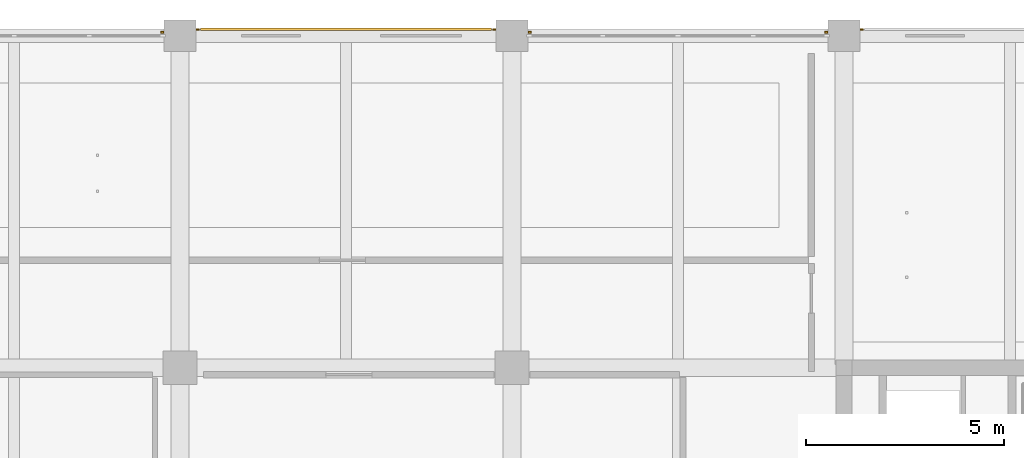
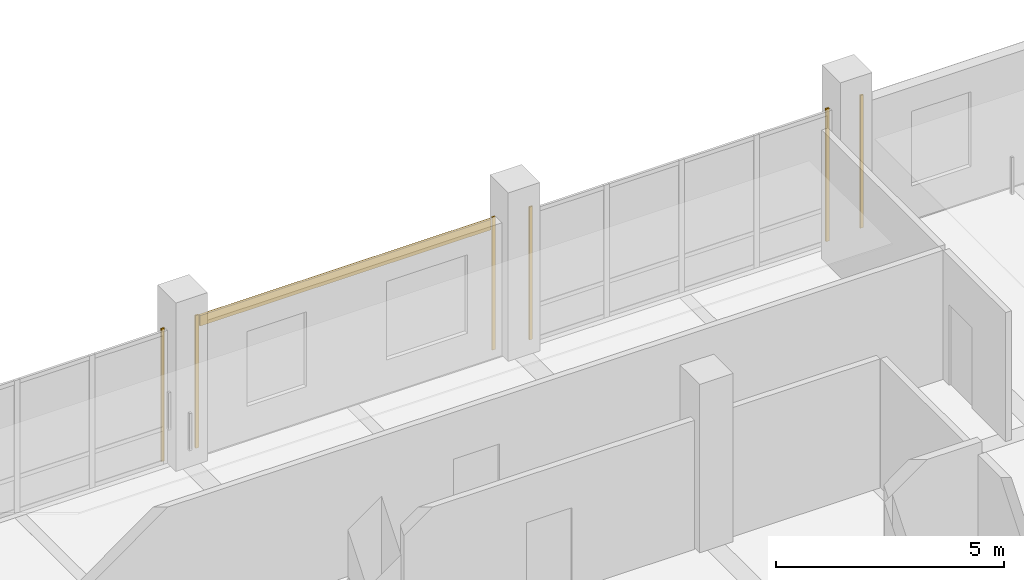
# One storey, part 35 of 36: 7 coverings.
"""IFC4 building model written with IfcOpenShell, lengths in metres."""

from ifc_helpers import new_model, si_unit, direction, frame, origin, origin_2d, place, context, subcontext, project, spatial, rectangle, extrude, material, layer, layer_set, type_object, element, save


model = new_model("IFC4")

# Units and contexts
model_context = context("Model", 3, precision=1e-05, world=origin(), true_north=direction((0.0, 1.0)))
body_context = subcontext(model_context, "Body", "Model", "MODEL_VIEW")
ifc_project = project(units=[si_unit("LENGTHUNIT", "METRE"), si_unit("AREAUNIT", "SQUARE_METRE"), si_unit("VOLUMEUNIT", "CUBIC_METRE"), si_unit("PLANEANGLEUNIT", "RADIAN"), si_unit("MASSUNIT", "GRAM", prefix="KILO")], contexts=[model_context])

# Site, building, storey
site_placement = place(None, origin())
site = spatial("IfcSite", under=ifc_project, at=site_placement, CompositionType="ELEMENT")
building_placement = place(site_placement, origin())
building = spatial("IfcBuilding", under=site, at=building_placement, Name="Telukmera Botanical Conservatory", CompositionType="ELEMENT")
storey_placement = place(building_placement, frame((0.0, 0.0, 33.0)))
storey = spatial("IfcBuildingStorey", under=building, at=storey_placement, Name="L07", CompositionType="ELEMENT", Elevation=33.0)

# Coverings
ifc_material_1 = material(Name="Granite-faced precast concrete C40/50", Category="masonry")
ifc_layer_1 = layer(ifc_material_1, 0.0400390625)
ifc_layer_set_1 = layer_set([ifc_layer_1], Name="Granite-faced precast concrete C40/50")
covering_type_1 = type_object("IfcCoveringType", Name="Granite Precast Column Pier Reveal Casing", PredefinedType="CLADDING", material=ifc_layer_set_1)
for number, where, z_axis, x_axis, name in (
    (1, (75.14794921875, 42.889892578125, 0.0), (0.0, 0.0, 1.0), (1.0, 0.0, 0.0), "Granite Pier Reveal V4:L07:N3 R"),
    (2, (76.052001953125, 42.9599609375, 0.0), (0.0, 0.0, 1.0), (1.0, 0.0, 0.0), "Granite Pier Reveal V4:L07:N4 L"),
    (3, (83.548095703125, 42.9599609375, 0.0), (0.0, 0.0, 1.0), (1.0, 0.0, 0.0), "Granite Pier Reveal V4:L07:N4 R"),
    (4, (84.451904296875, 42.889892578125, 0.0), (0.0, 0.0, 1.0), (1.0, 0.0, 0.0), "Granite Pier Reveal V4:L07:N5 L"),
    (5, (91.947998046875, 42.889892578125, 0.0), (0.0, 0.0, 1.0), (1.0, 0.0, 0.0), "Granite Pier Reveal V4:L07:N5 R"),
    (6, (92.85205078125, 42.9599609375, 0.0), (0.0, 0.0, 1.0), (1.0, 0.0, 0.0), "Granite Pier Reveal V4:L07:N6 L"),
):
    element("IfcCovering", number, at=place(storey_placement, frame(where, z_axis=z_axis, x_axis=x_axis)), inside=storey, type_object=covering_type_1, Name=name, PredefinedType="CLADDING", context=body_context, shape_type="SweptSolid", body=[
        extrude(rectangle(XDim=0.080078125, YDim=0.0400390625, at=origin_2d()), origin(), (0.0, 0.0, 1.0), 3.550048828125),
    ])
ifc_material_2 = material(Name="Terracotta-faced precast concrete C40/50", Category="masonry")
ifc_layer_2 = layer(ifc_material_2, 0.06005859375)
ifc_layer_set_2 = layer_set([ifc_layer_2], Name="Terracotta-faced precast concrete C40/50")
covering_type_2 = type_object("IfcCoveringType", Name="Polychrome Terracotta Facade Band Cladding", PredefinedType="CLADDING", material=ifc_layer_set_2)
covering_placement = place(storey_placement, frame((79.800048828125, 42.969970703125, 3.22998046875), z_axis=(0.0, 0.0, 1.0), x_axis=(1.0, 0.0, 0.0)))
element("IfcCovering", 7, at=covering_placement, inside=storey, type_object=covering_type_2, Name="Polychrome Terracotta Band V4:L07:N4", PredefinedType="CLADDING", context=body_context, shape_type="SweptSolid", body=[
    extrude(rectangle(XDim=7.35595703125, YDim=0.06005859375, at=origin_2d()), origin(), (0.0, 0.0, 1.0), 0.280029296875),
])

save(model, "model.ifc")
